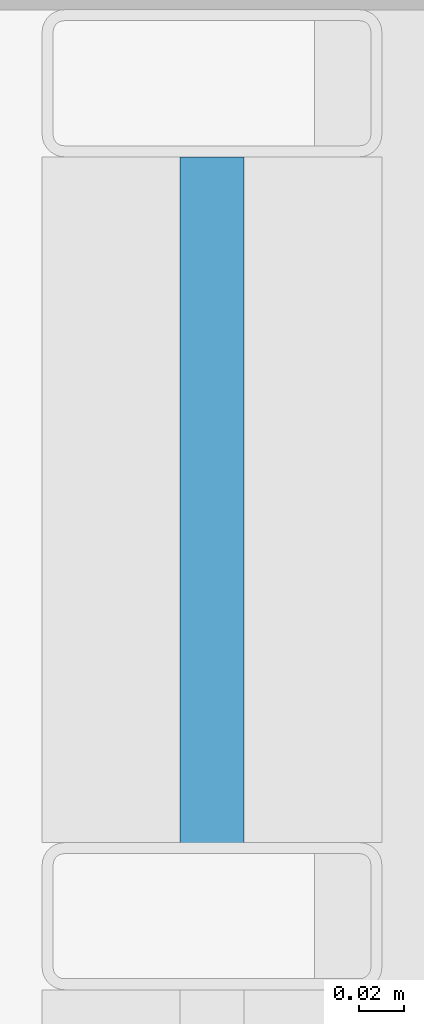
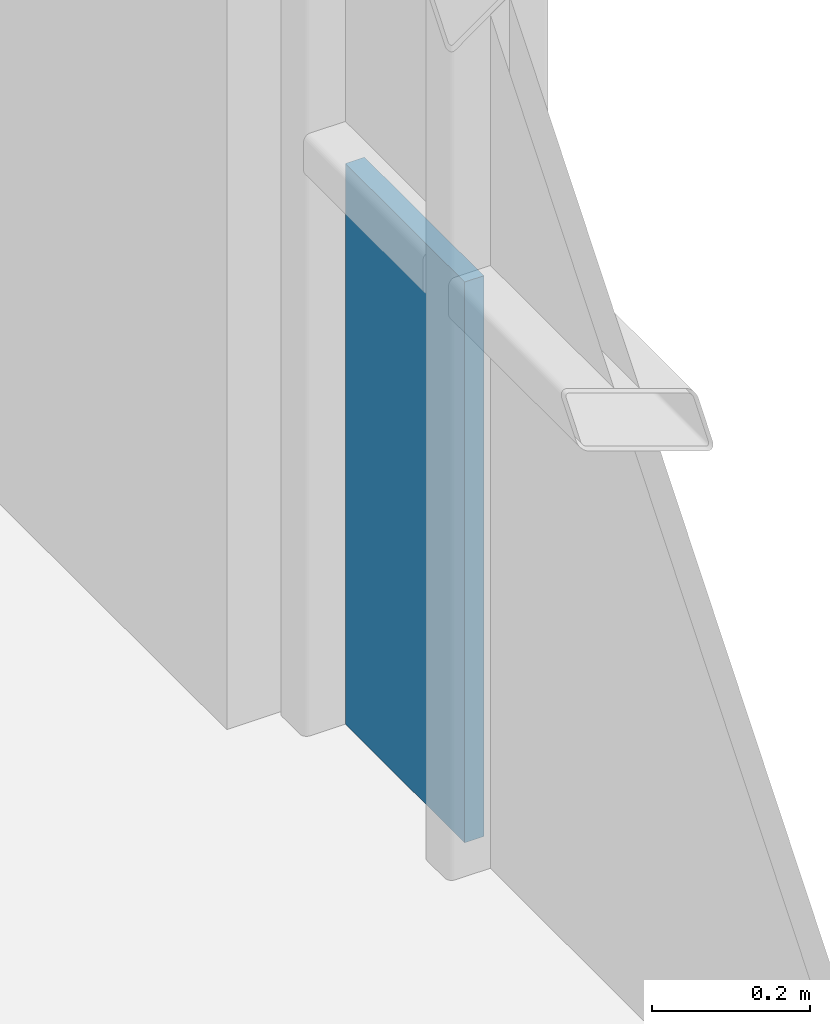
# One storey, part 30 of 40: 1 plate, 1 element without a shape of its own.
"""IFC4 building model written with IfcOpenShell, lengths in metres."""

from ifc_helpers import new_model, si_unit, direction, frame, origin, origin_2d, place, context, subcontext, project, spatial, rectangle, extrude, material, layer, layer_set, type_object, element, aggregate, save


model = new_model("IFC4")

# Units and contexts
model_context = context("Model", 3, precision=1e-05, world=origin(), true_north=direction((0.0, 1.0)))
body_context = subcontext(model_context, "Body", "Model", "MODEL_VIEW")
ifc_project = project(units=[si_unit("LENGTHUNIT", "METRE"), si_unit("AREAUNIT", "SQUARE_METRE"), si_unit("VOLUMEUNIT", "CUBIC_METRE"), si_unit("PLANEANGLEUNIT", "RADIAN"), si_unit("MASSUNIT", "GRAM", prefix="KILO")], contexts=[model_context])

# Site, building, storey
site_placement = place(None, origin())
site = spatial("IfcSite", under=ifc_project, at=site_placement, CompositionType="ELEMENT")
building_placement = place(site_placement, origin())
building = spatial("IfcBuilding", under=site, at=building_placement, Name="Brevholm Reach", CompositionType="ELEMENT")
storey_placement = place(building_placement, frame((0.0, 0.0, 131.39990234375)))
storey = spatial("IfcBuildingStorey", under=building, at=storey_placement, Name="L39", CompositionType="ELEMENT", Elevation=131.39990234375)

# Curtain wall, plate
ifc_material_1 = material(Name="Dark Anodised Aluminium 6063-T6 and Solar-Control Glass", Category="aluminium")
ifc_layer_1 = layer(ifc_material_1, 0.14990234375)
ifc_layer_set_1 = layer_set([ifc_layer_1], Name="Dark Anodised Aluminium 6063-T6 and Solar-Control Glass")
curtain_wall_type = type_object("IfcCurtainWallType", Name="CW-01", PredefinedType="NOTDEFINED", material=ifc_layer_set_1)
curtain_wall_placement = place(storey_placement, origin())
curtain_wall = element("IfcCurtainWall", 1, at=curtain_wall_placement, inside=storey, type_object=curtain_wall_type, Name="L39 Curtain Wall CW-01", PredefinedType="NOTDEFINED")
ifc_material_2 = material(Name="Dark Solar-Control Double-Glazed IGU Glass", Category="glass")
ifc_layer_2 = layer(ifc_material_2, 0.028076171875)
ifc_layer_set_2 = layer_set([ifc_layer_2], Name="Dark Solar-Control Double-Glazed IGU Glass")
plate_type = type_object("IfcPlateType", Name="CWP-GLZ-28", PredefinedType="CURTAIN_PANEL", material=ifc_layer_set_2)
plate_placement = place(storey_placement, frame((59.85009765625, 22.733642578125, 0.0), z_axis=(0.0, 0.0, 1.0), x_axis=(0.0, 1.0, 0.0)))
plate = element("IfcPlate", 2, at=plate_placement, type_object=plate_type, Name="CP-01 Glazing Panel 5.1", PredefinedType="CURTAIN_PANEL", context=body_context, shape_type="SweptSolid", body=[
    extrude(rectangle(XDim=0.302490234375, YDim=0.028076171875, at=origin_2d()), origin(), (0.0, 0.0, 1.0), 0.867431640625),
])
aggregate(curtain_wall, [plate])

save(model, "model.ifc")
